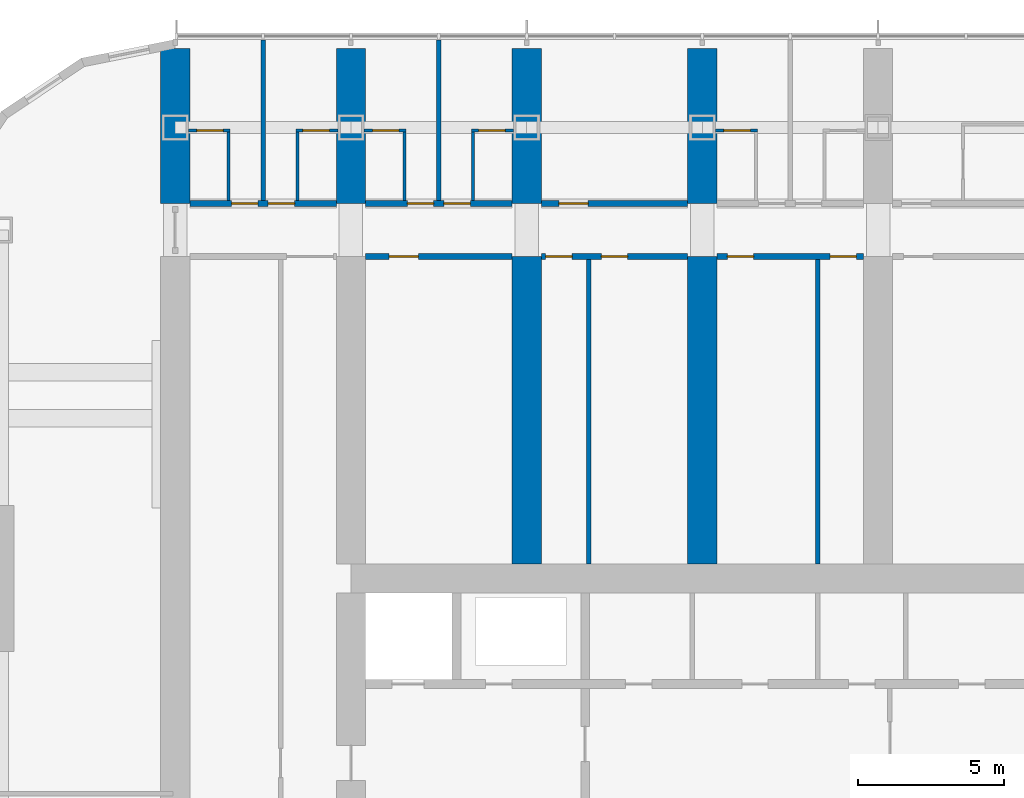
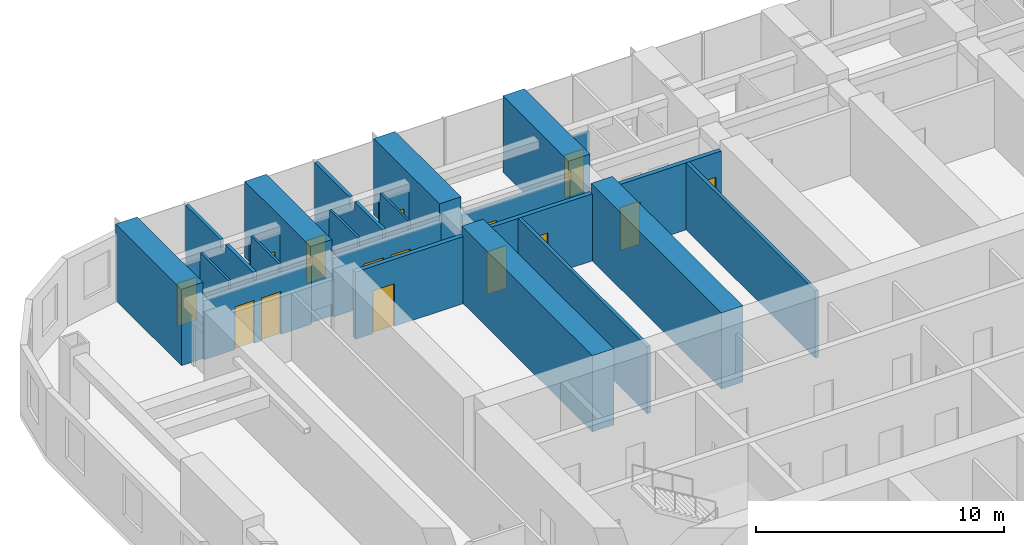
# One storey, part 15 of 24: 25 walls, 15 doors, 15 openings.
"""IFC4 building model written with IfcOpenShell, lengths in metres."""

import ifcopenshell
import ifcopenshell.guid

model = None  # the IFC model being written
_history = None  # IfcOwnerHistory: only IFC2X3 demands one
_inside = {}  # id of a spatial element -> (the spatial element, [elements in it])
_under = {}  # id of a project, library or spatial element -> (it, [spatial elements below it])
_declared = {}  # id of a project -> (the project, [libraries it declares])
_typed = {}  # id of a type object -> (the type object, [elements of that type])
_made_of = {}  # id of a material, layer set ... -> (it, [elements and type objects made of it])


def new_model(schema):
    """Start an empty IFC model of exactly this schema.

    Asked for "IFC4X3", IfcOpenShell would pick the latest addendum, in which some entities
    have other attributes; the version numbers below select the first issue.
    IFC2X3 requires an IfcOwnerHistory on every rooted entity: one is made here for all.
    """
    global model, _history
    if schema == "IFC4X3":
        model = ifcopenshell.file(schema_version=(4, 3, 0, 0))
    else:
        model = ifcopenshell.file(schema=schema)
    _inside.clear()
    _under.clear()
    _declared.clear()
    _typed.clear()
    _made_of.clear()
    _history = None
    if model.schema == "IFC2X3":
        org = make("IfcOrganization", Name="unknown")
        user = make(
            "IfcPersonAndOrganization",
            ThePerson=make("IfcPerson", FamilyName="unknown"),
            TheOrganization=org,
        )
        app = make(
            "IfcApplication",
            ApplicationDeveloper=org,
            Version="unknown",
            ApplicationFullName="unknown",
            ApplicationIdentifier="unknown",
        )
        _history = make(
            "IfcOwnerHistory",
            OwningUser=user,
            OwningApplication=app,
            ChangeAction="ADDED",
            CreationDate=0,
        )
    return model


def make(cls, **values):
    """One entity of the class cls with the attributes given. An attribute that is None is left unset."""
    return model.create_entity(
        cls, **{name: value for name, value in values.items() if value is not None}
    )


def rooted(cls, **values):
    """An entity with a GlobalId (a new one), such as an element, a storey or a relation."""
    return make(cls, GlobalId=ifcopenshell.guid.new(), OwnerHistory=_history, **values)


def si_unit(unit_type, name, prefix=None):
    """IfcSIUnit, for example si_unit("LENGTHUNIT", "METRE", prefix="MILLI")."""
    return make("IfcSIUnit", UnitType=unit_type, Prefix=prefix, Name=name)


def assignment(units):
    """IfcUnitAssignment: the units of a project."""
    return None if units is None else make("IfcUnitAssignment", Units=units)


def point(xyz):
    """IfcCartesianPoint."""
    return None if xyz is None else make("IfcCartesianPoint", Coordinates=xyz)


def direction(xyz):
    """IfcDirection."""
    return None if xyz is None else make("IfcDirection", DirectionRatios=xyz)


def frame(location, z_axis=None, x_axis=None):
    """IfcAxis2Placement3D, a coordinate frame: its origin and axes. An axis left out is left unset."""
    return make(
        "IfcAxis2Placement3D",
        Location=point(location),
        Axis=direction(z_axis),
        RefDirection=direction(x_axis),
    )


def frame_2d(location, x_axis=None):
    """IfcAxis2Placement2D, a coordinate frame in the plane: its origin and x axis."""
    return make(
        "IfcAxis2Placement2D", Location=point(location), RefDirection=direction(x_axis)
    )


def origin():
    """The frame at (0, 0, 0) with its axes left unset."""
    return frame((0.0, 0.0, 0.0))


def place(relative_to, where):
    """IfcLocalPlacement: puts the frame where relative to a parent placement (None: the world)."""
    return make(
        "IfcLocalPlacement", PlacementRelTo=relative_to, RelativePlacement=where
    )


def context(
    kind, dimensions, precision=None, world=None, true_north=None, identifier=None
):
    """IfcGeometricRepresentationContext, for example the 3D "Model" context."""
    return make(
        "IfcGeometricRepresentationContext",
        ContextIdentifier=identifier,
        ContextType=kind,
        CoordinateSpaceDimension=dimensions,
        Precision=precision,
        WorldCoordinateSystem=world,
        TrueNorth=true_north,
    )


def subcontext(parent, identifier, kind, view, scale=None):
    """IfcGeometricRepresentationSubContext, for example "Body" below "Model"."""
    return make(
        "IfcGeometricRepresentationSubContext",
        ContextIdentifier=identifier,
        ContextType=kind,
        ParentContext=parent,
        TargetScale=scale,
        TargetView=view,
    )


def project(units=None, contexts=None):
    """IfcProject with its units and contexts."""
    return rooted(
        "IfcProject",
        Name="project",
        RepresentationContexts=contexts,
        UnitsInContext=assignment(units),
    )


def spatial(cls, under=None, at=None, **own):
    """A site, building, storey or space (cls), placed at a placement, below another one or the project."""
    s = rooted(cls, ObjectPlacement=at, **own)
    if under is not None:
        _under.setdefault(under.id(), (under, []))[1].append(s)
    return s


def polyline(points):
    """IfcPolyline through the points."""
    return make("IfcPolyline", Points=[point(p) for p in points])


def profile(cls, at=None, kind="AREA", **sizes):
    """A parametric profile (cls). Its sizes go by their IFC names, for example OverallWidth=200.0."""
    return make(cls, ProfileType=kind, Position=at, **sizes)


def rectangle(**sizes):
    """IfcRectangleProfileDef."""
    return profile("IfcRectangleProfileDef", **sizes)


def outline(outer, holes=None, kind="AREA"):
    """IfcArbitraryClosedProfileDef: a profile drawn as a closed curve; with holes, ...WithVoids."""
    if holes is None:
        return make("IfcArbitraryClosedProfileDef", ProfileType=kind, OuterCurve=outer)
    return make(
        "IfcArbitraryProfileDefWithVoids",
        ProfileType=kind,
        OuterCurve=outer,
        InnerCurves=holes,
    )


def extrude(swept, where, along, depth):
    """IfcExtrudedAreaSolid: the profile swept, set in the frame where, extruded along a direction by depth."""
    return make(
        "IfcExtrudedAreaSolid",
        SweptArea=swept,
        Position=where,
        ExtrudedDirection=direction(along),
        Depth=depth,
    )


def shape(context_of_items, identifier, shape_type, items):
    """IfcShapeRepresentation: the items that make up one representation, for example the "Body"."""
    return make(
        "IfcShapeRepresentation",
        ContextOfItems=context_of_items,
        RepresentationIdentifier=identifier,
        RepresentationType=shape_type,
        Items=items,
    )


def material(Name=None, Category=None):
    """IfcMaterial."""
    return make("IfcMaterial", Name=Name, Category=Category)


def layer(
    of_material, thickness, ventilated=None, Name=None, Category=None, Priority=None
):
    """IfcMaterialLayer: one layer of a wall or slab, of a material (None: an air gap)."""
    return make(
        "IfcMaterialLayer",
        Material=of_material,
        LayerThickness=thickness,
        IsVentilated=ventilated,
        Name=Name,
        Category=Category,
        Priority=Priority,
    )


def layer_set(layers, Name=None):
    """IfcMaterialLayerSet."""
    return make("IfcMaterialLayerSet", MaterialLayers=layers, LayerSetName=Name)


def made_of(thing, what):
    """Note that an element or type object is made of a material, layer set ...; save() writes the relation."""
    if what is not None:
        _made_of.setdefault(what.id(), (what, []))[1].append(thing)
    return thing


def type_object(cls, material=None, **own):
    """A type object (cls), such as IfcWallType, which elements share."""
    return made_of(rooted(cls, **own), material)


def element(
    cls,
    number,
    at=None,
    inside=None,
    cuts=None,
    type_object=None,
    material=None,
    context=None,
    identifier="Body",
    shape_type=None,
    held_by="IfcProductDefinitionShape",
    body=None,
    shapes=None,
    **own,
):
    """One element of the class cls, such as IfcWall. Its Tag is "e" and its number.

    at: its placement. inside: the storey or other place that contains it. cuts: it is an
    opening in that element (IfcRelVoidsElement). A single representation is given by context,
    identifier, shape_type and body (its items); several are given by shapes. held_by: the class
    of the entity that holds the representations. save() writes the other relations.
    """
    e = rooted(cls, Tag="e%d" % number, ObjectPlacement=at, **own)
    if body is not None:
        shapes = [shape(context, identifier, shape_type, body)]
    if shapes is not None:
        e.Representation = make(held_by, Representations=shapes)
    if inside is not None:
        _inside.setdefault(inside.id(), (inside, []))[1].append(e)
    if cuts is not None:
        rooted(
            "IfcRelVoidsElement", RelatingBuildingElement=cuts, RelatedOpeningElement=e
        )
    if type_object is not None:
        _typed.setdefault(type_object.id(), (type_object, []))[1].append(e)
    return made_of(e, material)


def fill(opening, filler):
    """IfcRelFillsElement: the door or window that sits in an opening."""
    return rooted(
        "IfcRelFillsElement",
        RelatingOpeningElement=opening,
        RelatedBuildingElement=filler,
    )


def aggregate(whole, parts):
    """IfcRelAggregates: a whole, such as a stair, and the parts it consists of."""
    return rooted("IfcRelAggregates", RelatingObject=whole, RelatedObjects=parts)


def save(model, path):
    """Write the relations noted so far, then the file.

    IfcRelAggregates (storeys below a building ...), IfcRelContainedInSpatialStructure (elements
    in a storey), IfcRelDefinesByType, IfcRelAssociatesMaterial and IfcRelDeclares: one each for
    every whole, place, type object, material and project.
    """
    for whole, parts in _under.values():
        aggregate(whole, parts)
    for where, things in _inside.values():
        rooted(
            "IfcRelContainedInSpatialStructure",
            RelatedElements=things,
            RelatingStructure=where,
        )
    for kind, things in _typed.values():
        rooted("IfcRelDefinesByType", RelatedObjects=things, RelatingType=kind)
    for what, things in _made_of.values():
        rooted("IfcRelAssociatesMaterial", RelatedObjects=things, RelatingMaterial=what)
    for by, libraries in _declared.values():
        rooted("IfcRelDeclares", RelatingContext=by, RelatedDefinitions=libraries)
    model.write(path)


model = new_model("IFC4")

# Units and contexts
model_context = context("Model", 3, precision=1e-05, world=origin(), true_north=direction((0.0, 1.0)))
body_context = subcontext(model_context, "Body", "Model", "MODEL_VIEW")
ifc_project = project(units=[si_unit("LENGTHUNIT", "METRE"), si_unit("AREAUNIT", "SQUARE_METRE"), si_unit("VOLUMEUNIT", "CUBIC_METRE"), si_unit("PLANEANGLEUNIT", "RADIAN"), si_unit("MASSUNIT", "GRAM", prefix="KILO")], contexts=[model_context])

# Site, building, storey
site_placement = place(None, origin())
site = spatial("IfcSite", under=ifc_project, at=site_placement, CompositionType="ELEMENT")
building_placement = place(site_placement, origin())
building = spatial("IfcBuilding", under=site, at=building_placement, Name="Orbita Commons", CompositionType="ELEMENT")
storey_placement = place(building_placement, frame((0.0, 0.0, 20.199951171875)))
storey = spatial("IfcBuildingStorey", under=building, at=storey_placement, Name="L04", CompositionType="ELEMENT", Elevation=20.199951171875)

# Wall, openings, doors
ifc_material_1 = material(Name="Concrete blockwork", Category="masonry")
ifc_layer_1 = layer(ifc_material_1, 0.199951171875)
ifc_layer_set_1 = layer_set([ifc_layer_1], Name="Concrete blockwork")
wall_type_1 = type_object("IfcWallType", Name="Corridor wall 200 blockwork", PredefinedType="SOLIDWALL", material=ifc_layer_set_1)
wall_1_placement = place(storey_placement, frame((12.5, 51.0, 0.0), z_axis=(0.0, 0.0, 1.0), x_axis=(1.0, 0.0, 0.0)))
wall_1 = element("IfcWall", 1, at=wall_1_placement, inside=storey, type_object=wall_type_1, Name="Corridor wall 200 blockwork L04", PredefinedType="SOLIDWALL", context=body_context, shape_type="SweptSolid", body=[
    extrude(outline(polyline([(0.0, 0.0), (5.0, 0.0), (5.0, 2.900146484375), (0.0, 2.900146484375), (0.0, 0.0)])), frame((0.0, 0.10009765625, 0.0), z_axis=(0.0, -1.0, 0.0), x_axis=(1.0, 0.0, 0.0)), (0.0, 0.0, 1.0), 0.199951171875),
])
opening_1_placement = place(wall_1_placement, frame((1.425048828125, 0.0, 0.0)))
opening_1 = element("IfcOpeningElement", 2, at=opening_1_placement, cuts=wall_1, Name="Opening D11", PredefinedType="OPENING", context=body_context, shape_type="SweptSolid", body=[
    extrude(rectangle(XDim=0.89990234375, YDim=2.10009765625, at=frame_2d((0.449951171875, 1.050048828125))), frame((0.0, 0.10986328125, 0.0), z_axis=(0.0, -1.0, 0.0), x_axis=(1.0, 0.0, 0.0)), (0.0, 0.0, 1.0), 0.219970703125),
])
opening_2_placement = place(wall_1_placement, frame((2.675048828125, 0.0, 0.0)))
opening_2 = element("IfcOpeningElement", 3, at=opening_2_placement, cuts=wall_1, Name="Opening D11", PredefinedType="OPENING", context=body_context, shape_type="SweptSolid", body=[
    extrude(rectangle(XDim=0.89990234375, YDim=2.10009765625, at=frame_2d((0.449951171875, 1.050048828125))), frame((0.0, 0.10986328125, 0.0), z_axis=(0.0, -1.0, 0.0), x_axis=(1.0, 0.0, 0.0)), (0.0, 0.0, 1.0), 0.219970703125),
])
ifc_material_2 = material(Name="Steel-faced fire door leaf", Category="steel")
door_type_1 = type_object("IfcDoorType", Name="Corridor door 20 min 900x2100", OperationType="SINGLE_SWING_LEFT", PredefinedType="DOOR", material=ifc_material_2)
door_1_placement = place(opening_1_placement, origin())
door_1 = element("IfcDoor", 4, at=door_1_placement, inside=storey, type_object=door_type_1, Name="House bedroom L04-N00 door", OperationType="SINGLE_SWING_LEFT", OverallHeight=2.10009765625, OverallWidth=0.89990234375, PredefinedType="DOOR", context=body_context, shape_type="SweptSolid", body=[
    extrude(rectangle(XDim=0.89990234375, YDim=2.10009765625, at=frame_2d((0.449951171875, 1.050048828125))), frame((0.0, 0.02490234375, 0.0), z_axis=(0.0, -1.0, 0.0), x_axis=(1.0, 0.0, 0.0)), (0.0, 0.0, 1.0), 0.050048828125),
])
fill(opening_1, door_1)
door_2_placement = place(opening_2_placement, origin())
door_2 = element("IfcDoor", 5, at=door_2_placement, inside=storey, type_object=door_type_1, Name="House bedroom L04-N01 door", OperationType="SINGLE_SWING_LEFT", OverallHeight=2.10009765625, OverallWidth=0.89990234375, PredefinedType="DOOR", context=body_context, shape_type="SweptSolid", body=[
    extrude(rectangle(XDim=0.89990234375, YDim=2.10009765625, at=frame_2d((0.449951171875, 1.050048828125))), frame((0.0, 0.02490234375, 0.0), z_axis=(0.0, -1.0, 0.0), x_axis=(1.0, 0.0, 0.0)), (0.0, 0.0, 1.0), 0.050048828125),
])
fill(opening_2, door_2)

wall_2_placement = place(storey_placement, frame((18.5, 51.0, 0.0), z_axis=(0.0, 0.0, 1.0), x_axis=(1.0, 0.0, 0.0)))
wall_2 = element("IfcWall", 6, at=wall_2_placement, inside=storey, type_object=wall_type_1, Name="Corridor wall 200 blockwork L04", PredefinedType="SOLIDWALL", context=body_context, shape_type="SweptSolid", body=[
    extrude(outline(polyline([(0.0, 0.0), (5.0, 0.0), (5.0, 2.900146484375), (0.0, 2.900146484375), (0.0, 0.0)])), frame((0.0, 0.10009765625, 0.0), z_axis=(0.0, -1.0, 0.0), x_axis=(1.0, 0.0, 0.0)), (0.0, 0.0, 1.0), 0.199951171875),
])
opening_3_placement = place(wall_2_placement, frame((1.425048828125, 0.0, 0.0)))
opening_3 = element("IfcOpeningElement", 7, at=opening_3_placement, cuts=wall_2, Name="Opening D11", PredefinedType="OPENING", context=body_context, shape_type="SweptSolid", body=[
    extrude(rectangle(XDim=0.89990234375, YDim=2.10009765625, at=frame_2d((0.449951171875, 1.050048828125))), frame((0.0, 0.10986328125, 0.0), z_axis=(0.0, -1.0, 0.0), x_axis=(1.0, 0.0, 0.0)), (0.0, 0.0, 1.0), 0.219970703125),
])
opening_4_placement = place(wall_2_placement, frame((2.675048828125, 0.0, 0.0)))
opening_4 = element("IfcOpeningElement", 8, at=opening_4_placement, cuts=wall_2, Name="Opening D11", PredefinedType="OPENING", context=body_context, shape_type="SweptSolid", body=[
    extrude(rectangle(XDim=0.89990234375, YDim=2.10009765625, at=frame_2d((0.449951171875, 1.050048828125))), frame((0.0, 0.10986328125, 0.0), z_axis=(0.0, -1.0, 0.0), x_axis=(1.0, 0.0, 0.0)), (0.0, 0.0, 1.0), 0.219970703125),
])
door_3_placement = place(opening_3_placement, origin())
door_3 = element("IfcDoor", 9, at=door_3_placement, inside=storey, type_object=door_type_1, Name="House bedroom L04-N02 door", OperationType="SINGLE_SWING_LEFT", OverallHeight=2.10009765625, OverallWidth=0.89990234375, PredefinedType="DOOR", context=body_context, shape_type="SweptSolid", body=[
    extrude(rectangle(XDim=0.89990234375, YDim=2.10009765625, at=frame_2d((0.449951171875, 1.050048828125))), frame((0.0, 0.02490234375, 0.0), z_axis=(0.0, -1.0, 0.0), x_axis=(1.0, 0.0, 0.0)), (0.0, 0.0, 1.0), 0.050048828125),
])
fill(opening_3, door_3)
door_4_placement = place(opening_4_placement, origin())
door_4 = element("IfcDoor", 10, at=door_4_placement, inside=storey, type_object=door_type_1, Name="House bedroom L04-N03 door", OperationType="SINGLE_SWING_LEFT", OverallHeight=2.10009765625, OverallWidth=0.89990234375, PredefinedType="DOOR", context=body_context, shape_type="SweptSolid", body=[
    extrude(rectangle(XDim=0.89990234375, YDim=2.10009765625, at=frame_2d((0.449951171875, 1.050048828125))), frame((0.0, 0.02490234375, 0.0), z_axis=(0.0, -1.0, 0.0), x_axis=(1.0, 0.0, 0.0)), (0.0, 0.0, 1.0), 0.050048828125),
])
fill(opening_4, door_4)

# Wall, opening, door
wall_3_placement = place(storey_placement, frame((24.5, 51.0, 0.0), z_axis=(0.0, 0.0, 1.0), x_axis=(1.0, 0.0, 0.0)))
wall_3 = element("IfcWall", 11, at=wall_3_placement, inside=storey, type_object=wall_type_1, Name="Corridor wall 200 blockwork L04", PredefinedType="SOLIDWALL", context=body_context, shape_type="SweptSolid", body=[
    extrude(outline(polyline([(0.0, 0.0), (5.0, 0.0), (5.0, 2.900146484375), (0.0, 2.900146484375), (0.0, 0.0)])), frame((0.0, 0.10009765625, 0.0), z_axis=(0.0, -1.0, 0.0), x_axis=(1.0, 0.0, 0.0)), (0.0, 0.0, 1.0), 0.199951171875),
])
opening_5_placement = place(wall_3_placement, frame((0.60009765625, 0.0, 0.0)))
opening_5 = element("IfcOpeningElement", 12, at=opening_5_placement, cuts=wall_3, Name="Opening D06", PredefinedType="OPENING", context=body_context, shape_type="SweptSolid", body=[
    extrude(rectangle(XDim=1.0, YDim=2.10009765625, at=frame_2d((0.5, 1.050048828125))), frame((0.0, 0.10986328125, 0.0), z_axis=(0.0, -1.0, 0.0), x_axis=(1.0, 0.0, 0.0)), (0.0, 0.0, 1.0), 0.219970703125),
])
ifc_material_3 = material(Name="Steel-faced fire door leaf", Category="steel")
door_type_2 = type_object("IfcDoorType", Name="Corridor door 20 min 1000x2100", OperationType="SINGLE_SWING_LEFT", PredefinedType="DOOR", material=ifc_material_3)
door_5_placement = place(opening_5_placement, origin())
door_5 = element("IfcDoor", 13, at=door_5_placement, inside=storey, type_object=door_type_2, Name="House study room L04-N04 door", OperationType="SINGLE_SWING_LEFT", OverallHeight=2.10009765625, OverallWidth=1.0, PredefinedType="DOOR", context=body_context, shape_type="SweptSolid", body=[
    extrude(rectangle(XDim=1.0, YDim=2.10009765625, at=frame_2d((0.5, 1.050048828125))), frame((0.0, 0.02490234375, 0.0), z_axis=(0.0, -1.0, 0.0), x_axis=(1.0, 0.0, 0.0)), (0.0, 0.0, 1.0), 0.050048828125),
])
fill(opening_5, door_5)

ifc_material_4 = material(Name="Hollow concrete block 200", Category="concrete")
ifc_layer_2 = layer(ifc_material_4, 0.199951171875)
ifc_layer_set_2 = layer_set([ifc_layer_2], Name="Hollow concrete block 200")
wall_type_2 = type_object("IfcWallType", Name="Corridor wall 200 hollow concrete block", PredefinedType="SOLIDWALL", material=ifc_layer_set_2)
wall_4_placement = place(storey_placement, frame((18.5, 49.199951171875, 0.0), z_axis=(0.0, 0.0, 1.0), x_axis=(1.0, 0.0, 0.0)))
wall_4 = element("IfcWall", 14, at=wall_4_placement, inside=storey, type_object=wall_type_2, Name="Corridor wall 200 hollow concrete block L04", PredefinedType="SOLIDWALL", context=body_context, shape_type="SweptSolid", body=[
    extrude(rectangle(XDim=5.0, YDim=0.199951171875, at=frame_2d((2.5, 0.0))), origin(), (0.0, 0.0, 1.0), 3.300048828125),
])
opening_6_placement = place(wall_4_placement, frame((0.800048828125, 0.0, 0.0)))
opening_6 = element("IfcOpeningElement", 15, at=opening_6_placement, cuts=wall_4, Name="Opening D06", PredefinedType="OPENING", context=body_context, shape_type="SweptSolid", body=[
    extrude(rectangle(XDim=1.0, YDim=2.10009765625, at=frame_2d((0.5, 1.050048828125))), frame((0.0, 0.10986328125, 0.0), z_axis=(0.0, -1.0, 0.0), x_axis=(1.0, 0.0, 0.0)), (0.0, 0.0, 1.0), 0.219970703125),
])
door_6_placement = place(opening_6_placement, origin())
door_6 = element("IfcDoor", 16, at=door_6_placement, inside=storey, type_object=door_type_2, Name="Ventilation plant room south L04-BDN18 door", OperationType="SINGLE_SWING_LEFT", OverallHeight=2.10009765625, OverallWidth=1.0, PredefinedType="DOOR", context=body_context, shape_type="SweptSolid", body=[
    extrude(rectangle(XDim=1.0, YDim=2.10009765625, at=frame_2d((0.5, 1.050048828125))), frame((0.0, 0.02490234375, 0.0), z_axis=(0.0, -1.0, 0.0), x_axis=(1.0, 0.0, 0.0)), (0.0, 0.0, 1.0), 0.050048828125),
])
fill(opening_6, door_6)

# Wall, openings, doors
wall_5_placement = place(storey_placement, frame((24.5, 49.199951171875, 0.0), z_axis=(0.0, 0.0, 1.0), x_axis=(1.0, 0.0, 0.0)))
wall_5 = element("IfcWall", 17, at=wall_5_placement, inside=storey, type_object=wall_type_2, Name="Corridor wall 200 hollow concrete block L04", PredefinedType="SOLIDWALL", context=body_context, shape_type="SweptSolid", body=[
    extrude(rectangle(XDim=5.0, YDim=0.199951171875, at=frame_2d((2.5, 0.0))), origin(), (0.0, 0.0, 1.0), 3.300048828125),
])
opening_7_placement = place(wall_5_placement, frame((0.14990234375, 0.0, 0.0)))
opening_7 = element("IfcOpeningElement", 18, at=opening_7_placement, cuts=wall_5, Name="Opening D11", PredefinedType="OPENING", context=body_context, shape_type="SweptSolid", body=[
    extrude(rectangle(XDim=0.89990234375, YDim=2.10009765625, at=frame_2d((0.449951171875, 1.050048828125))), frame((0.0, 0.10986328125, 0.0), z_axis=(0.0, -1.0, 0.0), x_axis=(1.0, 0.0, 0.0)), (0.0, 0.0, 1.0), 0.219970703125),
])
opening_8_placement = place(wall_5_placement, frame((2.050048828125, 0.0, 0.0)))
opening_8 = element("IfcOpeningElement", 19, at=opening_8_placement, cuts=wall_5, Name="Opening D11", PredefinedType="OPENING", context=body_context, shape_type="SweptSolid", body=[
    extrude(rectangle(XDim=0.89990234375, YDim=2.10009765625, at=frame_2d((0.449951171875, 1.050048828125))), frame((0.0, 0.10986328125, 0.0), z_axis=(0.0, -1.0, 0.0), x_axis=(1.0, 0.0, 0.0)), (0.0, 0.0, 1.0), 0.219970703125),
])
door_7_placement = place(opening_7_placement, origin())
door_7 = element("IfcDoor", 20, at=door_7_placement, inside=storey, type_object=door_type_1, Name="Water heater cupboard L04-BDN24n door", OperationType="SINGLE_SWING_LEFT", OverallHeight=2.10009765625, OverallWidth=0.89990234375, PredefinedType="DOOR", context=body_context, shape_type="SweptSolid", body=[
    extrude(rectangle(XDim=0.89990234375, YDim=2.10009765625, at=frame_2d((0.449951171875, 1.050048828125))), frame((0.0, 0.02490234375, 0.0), z_axis=(0.0, -1.0, 0.0), x_axis=(1.0, 0.0, 0.0)), (0.0, 0.0, 1.0), 0.050048828125),
])
fill(opening_7, door_7)
door_8_placement = place(opening_8_placement, origin())
door_8 = element("IfcDoor", 21, at=door_8_placement, inside=storey, type_object=door_type_1, Name="Cleaners store L04-BDN24 door", OperationType="SINGLE_SWING_LEFT", OverallHeight=2.10009765625, OverallWidth=0.89990234375, PredefinedType="DOOR", context=body_context, shape_type="SweptSolid", body=[
    extrude(rectangle(XDim=0.89990234375, YDim=2.10009765625, at=frame_2d((0.449951171875, 1.050048828125))), frame((0.0, 0.02490234375, 0.0), z_axis=(0.0, -1.0, 0.0), x_axis=(1.0, 0.0, 0.0)), (0.0, 0.0, 1.0), 0.050048828125),
])
fill(opening_8, door_8)

wall_6_placement = place(storey_placement, frame((30.5, 49.199951171875, 0.0), z_axis=(0.0, 0.0, 1.0), x_axis=(1.0, 0.0, 0.0)))
wall_6 = element("IfcWall", 22, at=wall_6_placement, inside=storey, type_object=wall_type_2, Name="Corridor wall 200 hollow concrete block L04", PredefinedType="SOLIDWALL", context=body_context, shape_type="SweptSolid", body=[
    extrude(rectangle(XDim=5.0, YDim=0.199951171875, at=frame_2d((2.5, 0.0))), origin(), (0.0, 0.0, 1.0), 3.300048828125),
])
opening_9_placement = place(wall_6_placement, frame((0.35009765625, 0.0, 0.0)))
opening_9 = element("IfcOpeningElement", 23, at=opening_9_placement, cuts=wall_6, Name="Opening D11", PredefinedType="OPENING", context=body_context, shape_type="SweptSolid", body=[
    extrude(rectangle(XDim=0.89990234375, YDim=2.10009765625, at=frame_2d((0.449951171875, 1.050048828125))), frame((0.0, 0.10986328125, 0.0), z_axis=(0.0, -1.0, 0.0), x_axis=(1.0, 0.0, 0.0)), (0.0, 0.0, 1.0), 0.219970703125),
])
opening_10_placement = place(wall_6_placement, frame((3.860107421875, 0.0, 0.0)))
opening_10 = element("IfcOpeningElement", 24, at=opening_10_placement, cuts=wall_6, Name="Opening D11", PredefinedType="OPENING", context=body_context, shape_type="SweptSolid", body=[
    extrude(rectangle(XDim=0.89990234375, YDim=2.10009765625, at=frame_2d((0.449951171875, 1.050048828125))), frame((0.0, 0.10986328125, 0.0), z_axis=(0.0, -1.0, 0.0), x_axis=(1.0, 0.0, 0.0)), (0.0, 0.0, 1.0), 0.219970703125),
])
door_9_placement = place(opening_9_placement, origin())
door_9 = element("IfcDoor", 25, at=door_9_placement, inside=storey, type_object=door_type_1, Name="IT and print room L04-BDN30 door", OperationType="SINGLE_SWING_LEFT", OverallHeight=2.10009765625, OverallWidth=0.89990234375, PredefinedType="DOOR", context=body_context, shape_type="SweptSolid", body=[
    extrude(rectangle(XDim=0.89990234375, YDim=2.10009765625, at=frame_2d((0.449951171875, 1.050048828125))), frame((0.0, 0.02490234375, 0.0), z_axis=(0.0, -1.0, 0.0), x_axis=(1.0, 0.0, 0.0)), (0.0, 0.0, 1.0), 0.050048828125),
])
fill(opening_9, door_9)
door_10_placement = place(opening_10_placement, origin())
door_10 = element("IfcDoor", 26, at=door_10_placement, inside=storey, type_object=door_type_1, Name="Equipment store L04-BDN30n door", OperationType="SINGLE_SWING_LEFT", OverallHeight=2.10009765625, OverallWidth=0.89990234375, PredefinedType="DOOR", context=body_context, shape_type="SweptSolid", body=[
    extrude(rectangle(XDim=0.89990234375, YDim=2.10009765625, at=frame_2d((0.449951171875, 1.050048828125))), frame((0.0, 0.02490234375, 0.0), z_axis=(0.0, -1.0, 0.0), x_axis=(1.0, 0.0, 0.0)), (0.0, 0.0, 1.0), 0.050048828125),
])
fill(opening_10, door_10)

# Walls
ifc_material_5 = material(Name="Concrete C50/60", Category="concrete")
ifc_layer_3 = layer(ifc_material_5, 1.0)
ifc_layer_set_3 = layer_set([ifc_layer_3], Name="Concrete C50/60")
wall_type_3 = type_object("IfcWallType", Name="Cross wall 1000 C50/60", PredefinedType="SHEAR", material=ifc_layer_set_3)
for number, where, z_axis, x_axis, name in (
    (27, (12.0, 51.0, 0.0), (0.0, 0.0, 1.0), (0.0, 1.0, 0.0), "Cross wall 3 north outer L04"),
    (28, (18.0, 51.0, 0.0), (0.0, 0.0, 1.0), (0.0, 1.0, 0.0), "Cross wall 4 north outer L04"),
    (29, (24.0, 51.0, 0.0), (0.0, 0.0, 1.0), (0.0, 1.0, 0.0), "Cross wall 5 north outer L04"),
):
    element("IfcWall", number, at=place(storey_placement, frame(where, z_axis=z_axis, x_axis=x_axis)), inside=storey, type_object=wall_type_3, Name=name, PredefinedType="SHEAR", context=body_context, shape_type="SweptSolid", body=[
        extrude(rectangle(XDim=5.300048828125, YDim=1.0, at=frame_2d((2.64990234375, 0.0))), origin(), (0.0, 0.0, 1.0), 3.75),
    ])
wall_7_placement = place(storey_placement, frame((24.0, 38.699951171875, 0.0), z_axis=(0.0, 0.0, 1.0), x_axis=(0.0, 1.0, 0.0)))
element("IfcWall", 30, at=wall_7_placement, inside=storey, type_object=wall_type_3, Name="Cross wall 5 north inner L04", PredefinedType="SHEAR", context=body_context, shape_type="SweptSolid", body=[
    extrude(rectangle(XDim=10.5, YDim=1.0, at=frame_2d((5.25, 0.0))), origin(), (0.0, 0.0, 1.0), 3.75),
])
wall_8_placement = place(storey_placement, frame((30.0, 51.0, 0.0), z_axis=(0.0, 0.0, 1.0), x_axis=(0.0, 1.0, 0.0)))
element("IfcWall", 31, at=wall_8_placement, inside=storey, type_object=wall_type_3, Name="Cross wall 6 north outer L04", PredefinedType="SHEAR", context=body_context, shape_type="SweptSolid", body=[
    extrude(rectangle(XDim=5.300048828125, YDim=1.0, at=frame_2d((2.64990234375, 0.0))), origin(), (0.0, 0.0, 1.0), 3.75),
])
wall_9_placement = place(storey_placement, frame((30.0, 38.699951171875, 0.0), z_axis=(0.0, 0.0, 1.0), x_axis=(0.0, 1.0, 0.0)))
element("IfcWall", 32, at=wall_9_placement, inside=storey, type_object=wall_type_3, Name="Cross wall 6 north inner L04", PredefinedType="SHEAR", context=body_context, shape_type="SweptSolid", body=[
    extrude(rectangle(XDim=10.5, YDim=1.0, at=frame_2d((5.25, 0.0))), origin(), (0.0, 0.0, 1.0), 3.75),
])

# Wall, opening, door
ifc_material_6 = material(Name="Moisture-resistant plasterboard on steel studs", Category="steel")
ifc_layer_4 = layer(ifc_material_6, 0.10009765625)
ifc_layer_set_4 = layer_set([ifc_layer_4], Name="Moisture-resistant plasterboard on steel studs")
wall_type_4 = type_object("IfcWallType", Name="En-suite partition 100", PredefinedType="PARTITIONING", material=ifc_layer_set_4)
wall_10_placement = place(storey_placement, frame((12.449951171875, 53.5, 0.0), z_axis=(0.0, 0.0, 1.0), x_axis=(1.0, 0.0, 0.0)))
wall_10 = element("IfcWall", 33, at=wall_10_placement, inside=storey, type_object=wall_type_4, Name="En-suite partition 100 L04", PredefinedType="PARTITIONING", context=body_context, shape_type="SweptSolid", body=[
    extrude(outline(polyline([(0.0, 0.0), (1.425048828125, 0.0), (1.425048828125, 2.900146484375), (0.0, 2.900146484375), (0.0, 0.0)])), frame((0.0, 0.050048828125, 0.0), z_axis=(0.0, -1.0, 0.0), x_axis=(1.0, 0.0, 0.0)), (0.0, 0.0, 1.0), 0.10009765625),
])
opening_11_placement = place(wall_10_placement, frame((0.28759765625, 0.0, 0.0)))
opening_11 = element("IfcOpeningElement", 34, at=opening_11_placement, cuts=wall_10, Name="Opening D09", PredefinedType="OPENING", context=body_context, shape_type="SweptSolid", body=[
    extrude(rectangle(XDim=0.89990234375, YDim=2.10009765625, at=frame_2d((0.449951171875, 1.050048828125))), frame((0.0, 0.06005859375, 0.0), z_axis=(0.0, -1.0, 0.0), x_axis=(1.0, 0.0, 0.0)), (0.0, 0.0, 1.0), 0.1201171875),
])
ifc_material_7 = material(Name="Laminated timber door leaf", Category="wood")
door_type_3 = type_object("IfcDoorType", Name="En-suite door 900x2100", OperationType="SINGLE_SWING_RIGHT", PredefinedType="DOOR", material=ifc_material_7)
door_11_placement = place(opening_11_placement, origin())
door_11 = element("IfcDoor", 35, at=door_11_placement, inside=storey, type_object=door_type_3, Name="En-suite L04-N00 door", OperationType="SINGLE_SWING_RIGHT", OverallHeight=2.10009765625, OverallWidth=0.89990234375, PredefinedType="DOOR", context=body_context, shape_type="SweptSolid", body=[
    extrude(rectangle(XDim=0.89990234375, YDim=2.10009765625, at=frame_2d((0.449951171875, 1.050048828125))), frame((0.0, 0.02490234375, 0.0), z_axis=(0.0, -1.0, 0.0), x_axis=(1.0, 0.0, 0.0)), (0.0, 0.0, 1.0), 0.050048828125),
])
fill(opening_11, door_11)

# Wall
wall_11_placement = place(storey_placement, frame((13.824951171875, 53.449951171875, 0.0), z_axis=(0.0, 0.0, 1.0), x_axis=(0.0, -1.0, 0.0)))
element("IfcWall", 36, at=wall_11_placement, inside=storey, type_object=wall_type_4, Name="En-suite partition 100 L04", PredefinedType="PARTITIONING", context=body_context, shape_type="SweptSolid", body=[
    extrude(outline(polyline([(0.0, 0.0), (2.349853515625, 0.0), (2.35009765625, 2.900146484375), (2.302001953125, 2.900146484375), (2.300048828125, 3.300048828125), (0.052001953125, 3.300048828125), (0.050048828125, 2.900146484375), (0.0, 2.900146484375), (0.0, 0.0)])), frame((0.0, 0.050048828125, 0.0), z_axis=(0.0, -1.0, 0.0), x_axis=(1.0, 0.0, 0.0)), (0.0, 0.0, 1.0), 0.10009765625),
])

# Wall, opening, door
wall_12_placement = place(storey_placement, frame((16.125, 53.5, 0.0), z_axis=(0.0, 0.0, 1.0), x_axis=(1.0, 0.0, 0.0)))
wall_12 = element("IfcWall", 37, at=wall_12_placement, inside=storey, type_object=wall_type_4, Name="En-suite partition 100 L04", PredefinedType="PARTITIONING", context=body_context, shape_type="SweptSolid", body=[
    extrude(outline(polyline([(0.0, 0.0), (1.425048828125, 0.0), (1.425048828125, 2.900146484375), (0.0, 2.900146484375), (0.0, 0.0)])), frame((0.0, 0.050048828125, 0.0), z_axis=(0.0, -1.0, 0.0), x_axis=(1.0, 0.0, 0.0)), (0.0, 0.0, 1.0), 0.10009765625),
])
opening_12_placement = place(wall_12_placement, frame((0.237548828125, 0.0, 0.0)))
opening_12 = element("IfcOpeningElement", 38, at=opening_12_placement, cuts=wall_12, Name="Opening D09", PredefinedType="OPENING", context=body_context, shape_type="SweptSolid", body=[
    extrude(rectangle(XDim=0.89990234375, YDim=2.10009765625, at=frame_2d((0.449951171875, 1.050048828125))), frame((0.0, 0.06005859375, 0.0), z_axis=(0.0, -1.0, 0.0), x_axis=(1.0, 0.0, 0.0)), (0.0, 0.0, 1.0), 0.1201171875),
])
door_12_placement = place(opening_12_placement, origin())
door_12 = element("IfcDoor", 39, at=door_12_placement, inside=storey, type_object=door_type_3, Name="En-suite L04-N01 door", OperationType="SINGLE_SWING_RIGHT", OverallHeight=2.10009765625, OverallWidth=0.89990234375, PredefinedType="DOOR", context=body_context, shape_type="SweptSolid", body=[
    extrude(rectangle(XDim=0.89990234375, YDim=2.10009765625, at=frame_2d((0.449951171875, 1.050048828125))), frame((0.0, 0.02490234375, 0.0), z_axis=(0.0, -1.0, 0.0), x_axis=(1.0, 0.0, 0.0)), (0.0, 0.0, 1.0), 0.050048828125),
])
fill(opening_12, door_12)

# Wall
wall_13_placement = place(storey_placement, frame((16.175048828125, 53.449951171875, 0.0), z_axis=(0.0, 0.0, 1.0), x_axis=(0.0, -1.0, 0.0)))
element("IfcWall", 40, at=wall_13_placement, inside=storey, type_object=wall_type_4, Name="En-suite partition 100 L04", PredefinedType="PARTITIONING", context=body_context, shape_type="SweptSolid", body=[
    extrude(outline(polyline([(0.0, 0.0), (2.349853515625, 0.0), (2.35009765625, 2.900146484375), (2.302001953125, 2.900146484375), (2.300048828125, 3.300048828125), (0.052001953125, 3.300048828125), (0.050048828125, 2.900146484375), (0.0, 2.900146484375), (0.0, 0.0)])), frame((0.0, 0.050048828125, 0.0), z_axis=(0.0, -1.0, 0.0), x_axis=(1.0, 0.0, 0.0)), (0.0, 0.0, 1.0), 0.10009765625),
])

# Wall, opening, door
wall_14_placement = place(storey_placement, frame((18.449951171875, 53.5, 0.0), z_axis=(0.0, 0.0, 1.0), x_axis=(1.0, 0.0, 0.0)))
wall_14 = element("IfcWall", 41, at=wall_14_placement, inside=storey, type_object=wall_type_4, Name="En-suite partition 100 L04", PredefinedType="PARTITIONING", context=body_context, shape_type="SweptSolid", body=[
    extrude(outline(polyline([(0.0, 0.0), (1.425048828125, 0.0), (1.425048828125, 2.900146484375), (0.0, 2.900146484375), (0.0, 0.0)])), frame((0.0, 0.050048828125, 0.0), z_axis=(0.0, -1.0, 0.0), x_axis=(1.0, 0.0, 0.0)), (0.0, 0.0, 1.0), 0.10009765625),
])
opening_13_placement = place(wall_14_placement, frame((0.28759765625, 0.0, 0.0)))
opening_13 = element("IfcOpeningElement", 42, at=opening_13_placement, cuts=wall_14, Name="Opening D09", PredefinedType="OPENING", context=body_context, shape_type="SweptSolid", body=[
    extrude(rectangle(XDim=0.89990234375, YDim=2.10009765625, at=frame_2d((0.449951171875, 1.050048828125))), frame((0.0, 0.06005859375, 0.0), z_axis=(0.0, -1.0, 0.0), x_axis=(1.0, 0.0, 0.0)), (0.0, 0.0, 1.0), 0.1201171875),
])
door_13_placement = place(opening_13_placement, origin())
door_13 = element("IfcDoor", 43, at=door_13_placement, inside=storey, type_object=door_type_3, Name="En-suite L04-N02 door", OperationType="SINGLE_SWING_RIGHT", OverallHeight=2.10009765625, OverallWidth=0.89990234375, PredefinedType="DOOR", context=body_context, shape_type="SweptSolid", body=[
    extrude(rectangle(XDim=0.89990234375, YDim=2.10009765625, at=frame_2d((0.449951171875, 1.050048828125))), frame((0.0, 0.02490234375, 0.0), z_axis=(0.0, -1.0, 0.0), x_axis=(1.0, 0.0, 0.0)), (0.0, 0.0, 1.0), 0.050048828125),
])
fill(opening_13, door_13)

# Wall
wall_15_placement = place(storey_placement, frame((19.824951171875, 53.449951171875, 0.0), z_axis=(0.0, 0.0, 1.0), x_axis=(0.0, -1.0, 0.0)))
element("IfcWall", 44, at=wall_15_placement, inside=storey, type_object=wall_type_4, Name="En-suite partition 100 L04", PredefinedType="PARTITIONING", context=body_context, shape_type="SweptSolid", body=[
    extrude(outline(polyline([(0.0, 0.0), (2.349853515625, 0.0), (2.35009765625, 2.900146484375), (2.302001953125, 2.900146484375), (2.300048828125, 3.300048828125), (0.052001953125, 3.300048828125), (0.050048828125, 2.900146484375), (0.0, 2.900146484375), (0.0, 0.0)])), frame((0.0, 0.050048828125, 0.0), z_axis=(0.0, -1.0, 0.0), x_axis=(1.0, 0.0, 0.0)), (0.0, 0.0, 1.0), 0.10009765625),
])

# Wall, opening, door
wall_16_placement = place(storey_placement, frame((22.125, 53.5, 0.0), z_axis=(0.0, 0.0, 1.0), x_axis=(1.0, 0.0, 0.0)))
wall_16 = element("IfcWall", 45, at=wall_16_placement, inside=storey, type_object=wall_type_4, Name="En-suite partition 100 L04", PredefinedType="PARTITIONING", context=body_context, shape_type="SweptSolid", body=[
    extrude(outline(polyline([(0.0, 0.0), (1.425048828125, 0.0), (1.425048828125, 2.900146484375), (0.0, 2.900146484375), (0.0, 0.0)])), frame((0.0, 0.050048828125, 0.0), z_axis=(0.0, -1.0, 0.0), x_axis=(1.0, 0.0, 0.0)), (0.0, 0.0, 1.0), 0.10009765625),
])
opening_14_placement = place(wall_16_placement, frame((0.237548828125, 0.0, 0.0)))
opening_14 = element("IfcOpeningElement", 46, at=opening_14_placement, cuts=wall_16, Name="Opening D09", PredefinedType="OPENING", context=body_context, shape_type="SweptSolid", body=[
    extrude(rectangle(XDim=0.89990234375, YDim=2.10009765625, at=frame_2d((0.449951171875, 1.050048828125))), frame((0.0, 0.06005859375, 0.0), z_axis=(0.0, -1.0, 0.0), x_axis=(1.0, 0.0, 0.0)), (0.0, 0.0, 1.0), 0.1201171875),
])
door_14_placement = place(opening_14_placement, origin())
door_14 = element("IfcDoor", 47, at=door_14_placement, inside=storey, type_object=door_type_3, Name="En-suite L04-N03 door", OperationType="SINGLE_SWING_RIGHT", OverallHeight=2.10009765625, OverallWidth=0.89990234375, PredefinedType="DOOR", context=body_context, shape_type="SweptSolid", body=[
    extrude(rectangle(XDim=0.89990234375, YDim=2.10009765625, at=frame_2d((0.449951171875, 1.050048828125))), frame((0.0, 0.02490234375, 0.0), z_axis=(0.0, -1.0, 0.0), x_axis=(1.0, 0.0, 0.0)), (0.0, 0.0, 1.0), 0.050048828125),
])
fill(opening_14, door_14)

# Wall
wall_17_placement = place(storey_placement, frame((22.175048828125, 53.449951171875, 0.0), z_axis=(0.0, 0.0, 1.0), x_axis=(0.0, -1.0, 0.0)))
element("IfcWall", 48, at=wall_17_placement, inside=storey, type_object=wall_type_4, Name="En-suite partition 100 L04", PredefinedType="PARTITIONING", context=body_context, shape_type="SweptSolid", body=[
    extrude(outline(polyline([(0.0, 0.0), (2.349853515625, 0.0), (2.35009765625, 2.900146484375), (2.302001953125, 2.900146484375), (2.300048828125, 3.300048828125), (0.052001953125, 3.300048828125), (0.050048828125, 2.900146484375), (0.0, 2.900146484375), (0.0, 0.0)])), frame((0.0, 0.050048828125, 0.0), z_axis=(0.0, -1.0, 0.0), x_axis=(1.0, 0.0, 0.0)), (0.0, 0.0, 1.0), 0.10009765625),
])

# Wall, opening, door
wall_18_placement = place(storey_placement, frame((30.449951171875, 53.5, 0.0), z_axis=(0.0, 0.0, 1.0), x_axis=(1.0, 0.0, 0.0)))
wall_18 = element("IfcWall", 49, at=wall_18_placement, inside=storey, type_object=wall_type_4, Name="En-suite partition 100 L04", PredefinedType="PARTITIONING", context=body_context, shape_type="SweptSolid", body=[
    extrude(outline(polyline([(0.0, 0.0), (1.425048828125, 0.0), (1.425048828125, 2.900146484375), (0.0, 2.900146484375), (0.0, 0.0)])), frame((0.0, 0.050048828125, 0.0), z_axis=(0.0, -1.0, 0.0), x_axis=(1.0, 0.0, 0.0)), (0.0, 0.0, 1.0), 0.10009765625),
])
opening_15_placement = place(wall_18_placement, frame((0.28759765625, 0.0, 0.0)))
opening_15 = element("IfcOpeningElement", 50, at=opening_15_placement, cuts=wall_18, Name="Opening D09", PredefinedType="OPENING", context=body_context, shape_type="SweptSolid", body=[
    extrude(rectangle(XDim=0.89990234375, YDim=2.10009765625, at=frame_2d((0.449951171875, 1.050048828125))), frame((0.0, 0.06005859375, 0.0), z_axis=(0.0, -1.0, 0.0), x_axis=(1.0, 0.0, 0.0)), (0.0, 0.0, 1.0), 0.1201171875),
])
door_15_placement = place(opening_15_placement, origin())
door_15 = element("IfcDoor", 51, at=door_15_placement, inside=storey, type_object=door_type_3, Name="En-suite L04-N06 door", OperationType="SINGLE_SWING_RIGHT", OverallHeight=2.10009765625, OverallWidth=0.89990234375, PredefinedType="DOOR", context=body_context, shape_type="SweptSolid", body=[
    extrude(rectangle(XDim=0.89990234375, YDim=2.10009765625, at=frame_2d((0.449951171875, 1.050048828125))), frame((0.0, 0.02490234375, 0.0), z_axis=(0.0, -1.0, 0.0), x_axis=(1.0, 0.0, 0.0)), (0.0, 0.0, 1.0), 0.050048828125),
])
fill(opening_15, door_15)

# Walls
ifc_material_8 = material(Name="Gypsum plasterboard on steel studs", Category="steel")
ifc_layer_5 = layer(ifc_material_8, 0.14990234375)
ifc_layer_set_5 = layer_set([ifc_layer_5], Name="Gypsum plasterboard on steel studs")
wall_type_5 = type_object("IfcWallType", Name="Partition 150 plasterboard", PredefinedType="PARTITIONING", material=ifc_layer_set_5)
for number, where, z_axis, x_axis, name in (
    (52, (26.125, 38.699951171875, 0.0), (0.0, 0.0, 1.0), (0.0, 1.0, 0.0), "Partition 150 plasterboard L04"),
    (53, (33.93505859375, 38.699951171875, 0.0), (0.0, 0.0, 1.0), (0.0, 1.0, 0.0), "Partition 150 plasterboard L04"),
):
    element("IfcWall", number, at=place(storey_placement, frame(where, z_axis=z_axis, x_axis=x_axis)), inside=storey, type_object=wall_type_5, Name=name, PredefinedType="PARTITIONING", context=body_context, shape_type="SweptSolid", body=[
        extrude(rectangle(XDim=10.400146484375, YDim=0.14990234375, at=frame_2d((5.2001953125, 0.0))), origin(), (0.0, 0.0, 1.0), 3.300048828125),
    ])
ifc_material_9 = material(Name="Gypsum plasterboard on steel studs", Category="steel")
ifc_layer_6 = layer(ifc_material_9, 0.14990234375)
ifc_layer_set_6 = layer_set([ifc_layer_6], Name="Gypsum plasterboard on steel studs")
wall_type_6 = type_object("IfcWallType", Name="Party wall 150 plasterboard", PredefinedType="PARTITIONING", material=ifc_layer_set_6)
for number, where, z_axis, x_axis, name in (
    (54, (15.0, 56.590087890625, 0.0), (0.0, 0.0, 1.0), (0.0, -1.0, 0.0), "Party wall 150 plasterboard L04"),
    (55, (21.0, 56.590087890625, 0.0), (0.0, 0.0, 1.0), (0.0, -1.0, 0.0), "Party wall 150 plasterboard L04"),
):
    element("IfcWall", number, at=place(storey_placement, frame(where, z_axis=z_axis, x_axis=x_axis)), inside=storey, type_object=wall_type_6, Name=name, PredefinedType="PARTITIONING", context=body_context, shape_type="SweptSolid", body=[
        extrude(outline(polyline([(0.0, 0.0), (5.489990234375, 0.0), (5.489990234375, 2.900146484375), (5.44189453125, 2.900146484375), (5.43994140625, 3.300048828125), (3.19189453125, 3.300048828125), (3.18994140625, 2.900146484375), (2.7919921875, 2.900146484375), (2.7900390625, 3.300048828125), (0.0, 3.300048828125), (0.0, 0.0)])), frame((0.0, 0.074951171875, 0.0), z_axis=(0.0, -1.0, 0.0), x_axis=(1.0, 0.0, 0.0)), (0.0, 0.0, 1.0), 0.14990234375),
    ])

save(model, "model.ifc")
